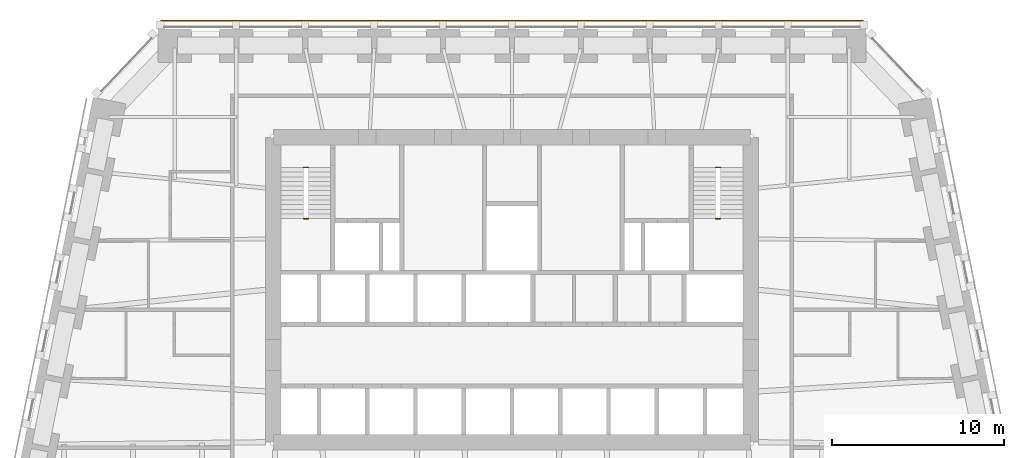
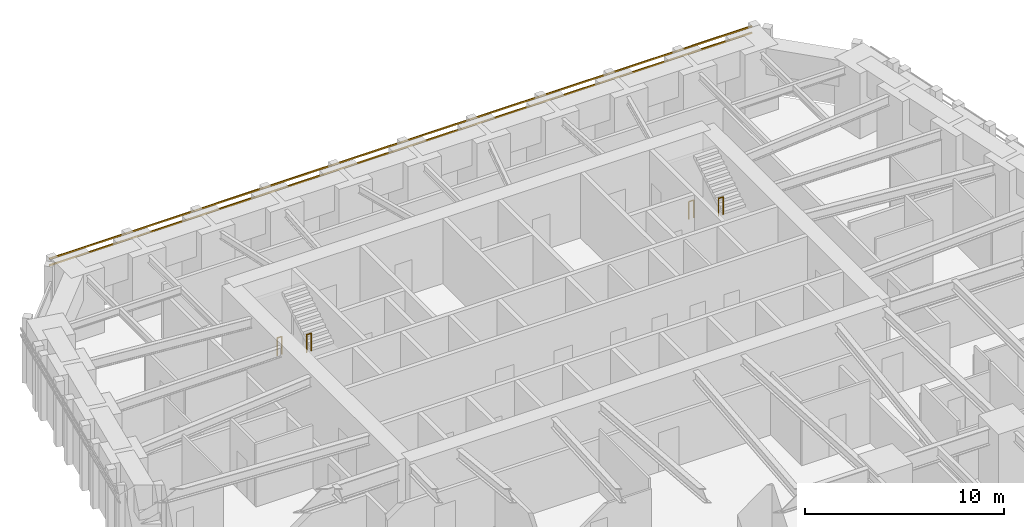
# One storey, part 16 of 16: 4 railings, 2 shading devices.
"""IFC4 building model written with IfcOpenShell, lengths in metres."""

from ifc_helpers import new_model, si_unit, direction, frame, origin, origin_2d, place, context, subcontext, project, spatial, rectangle, circle, extrude, material, material_profile, profile_set, type_object, element, save


model = new_model("IFC4")

# Units and contexts
model_context = context("Model", 3, precision=1e-05, world=origin(), true_north=direction((0.0, 1.0)))
body_context = subcontext(model_context, "Body", "Model", "MODEL_VIEW")
ifc_project = project(units=[si_unit("LENGTHUNIT", "METRE"), si_unit("AREAUNIT", "SQUARE_METRE"), si_unit("VOLUMEUNIT", "CUBIC_METRE"), si_unit("PLANEANGLEUNIT", "RADIAN"), si_unit("MASSUNIT", "GRAM", prefix="KILO")], contexts=[model_context])

# Site, building, storey
site_placement = place(None, origin())
site = spatial("IfcSite", under=ifc_project, at=site_placement, CompositionType="ELEMENT")
building_placement = place(site_placement, origin())
building = spatial("IfcBuilding", under=site, at=building_placement, Name="Isbrekke Arena Tower", CompositionType="ELEMENT")
storey_placement = place(building_placement, frame((0.0, 0.0, 36.0)))
storey = spatial("IfcBuildingStorey", under=building, at=storey_placement, Name="L06", CompositionType="ELEMENT", Elevation=36.0)

# Shading devices
ifc_material_1 = material(Name="Terracotta", Category="masonry")
ifc_material_profile = material_profile(ifc_material_1, rectangle(XDim=0.06005859375, YDim=0.06005859375, at=origin_2d()), Name="BAGUETTE 60X60")
ifc_profile_set = profile_set([ifc_material_profile], Name="Terracotta")
shading_device_type = type_object("IfcShadingDeviceType", Name="BG1 TERRACOTTA BAGUETTE 60 x 60", PredefinedType="USERDEFINED", material=ifc_profile_set)
for number, where, z_axis, x_axis, name in (
    (1, (20.39990234375, 30.6298828125, 3.280029296875), (-1.0, 0.0, 0.0), (0.0, -1.0, 0.0), "BG1 terracotta baguette N1 L06"),
    (2, (20.39990234375, 30.6298828125, 3.679931640625), (-1.0, 0.0, 0.0), (0.0, -1.0, 0.0), "BG1 terracotta baguette N2 L06"),
):
    element("IfcShadingDevice", number, at=place(storey_placement, frame(where, z_axis=z_axis, x_axis=x_axis)), inside=storey, type_object=shading_device_type, Name=name, ObjectType="TERRACOTTA BAGUETTE", PredefinedType="USERDEFINED", context=body_context, shape_type="SweptSolid", body=[
        extrude(rectangle(XDim=0.06005859375, YDim=0.06005859375, at=origin_2d()), origin(), (0.0, 0.0, 1.0), 40.7998046875),
    ])

# Railings
ifc_material_2 = material(Name="Steel stair guard, vertical bars, steel handrail", Category="steel")
railing_type = type_object("IfcRailingType", Name="GR3 STAIR WELL GUARD 1100", PredefinedType="GUARDRAIL", material=ifc_material_2)
for number, where, name in (
    (3, (-12.10009765625, 22.10009765625, 0.0), "GR3 stair well guard ST1 L06"),
    (4, (-12.10009765625, 19.1298828125, 2.0), "GR3 stair well guard ST1 L06"),
    (5, (11.824951171875, 22.10009765625, 0.0), "GR3 stair well guard ST2 L06"),
    (6, (11.824951171875, 19.1298828125, 2.0), "GR3 stair well guard ST2 L06"),
):
    element("IfcRailing", number, at=place(storey_placement, frame(where)), inside=storey, type_object=railing_type, Name=name, PredefinedType="GUARDRAIL", context=body_context, shape_type="SweptSolid", body=[
        extrude(circle(Radius=0.02392578125, at=origin_2d()), frame((0.0, 0.0, 1.076171875), z_axis=(1.0, 0.0, 0.0), x_axis=(0.0, 1.0, 0.0)), (0.0, 0.0, 1.0), 0.275146484375),
        extrude(circle(Radius=0.02099609375, at=origin_2d()), origin(), (0.0, 0.0, 1.0), 1.052001953125),
        extrude(circle(Radius=0.02099609375, at=origin_2d()), frame((0.275146484375, 0.0, 0.0)), (0.0, 0.0, 1.0), 1.052001953125),
    ])

save(model, "model.ifc")
